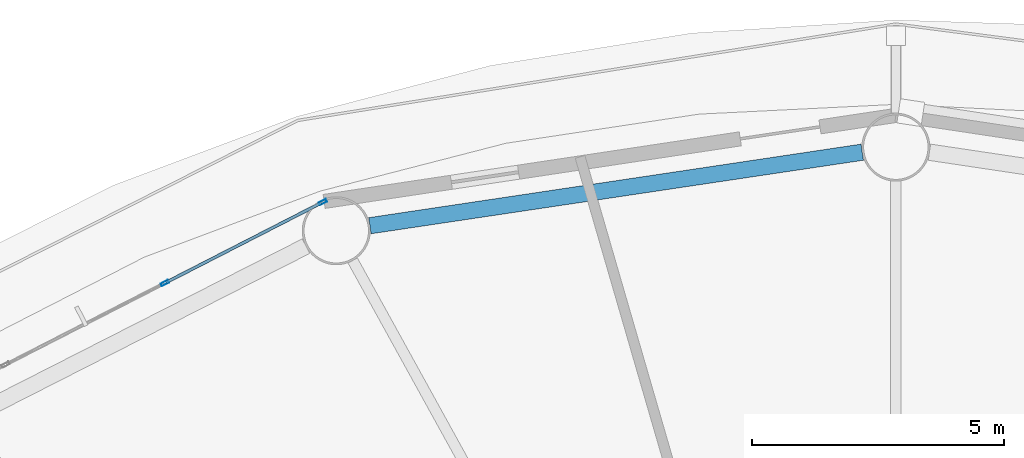
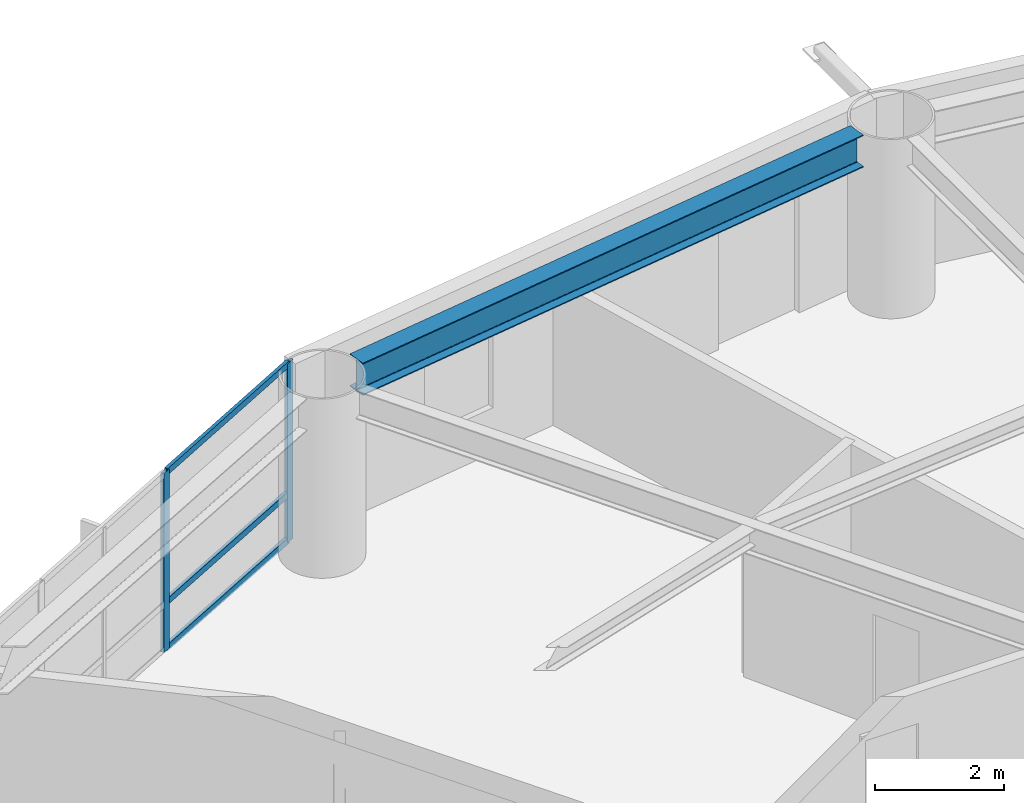
# One storey, part 10 of 24: 5 members, 1 beam, 1 element without a shape of its own.
"""IFC4 building model written with IfcOpenShell, lengths in metres."""

from ifc_helpers import new_model, si_unit, direction, frame, origin, origin_2d, place, context, subcontext, project, spatial, hollow_rectangle, i_section, extrude, material, layer, layer_set, material_profile, profile_set, type_object, element, aggregate, save


model = new_model("IFC4")

# Units and contexts
model_context = context("Model", 3, precision=1e-05, world=origin(), true_north=direction((0.0, 1.0)))
body_context = subcontext(model_context, "Body", "Model", "MODEL_VIEW")
ifc_project = project(units=[si_unit("LENGTHUNIT", "METRE"), si_unit("AREAUNIT", "SQUARE_METRE"), si_unit("VOLUMEUNIT", "CUBIC_METRE"), si_unit("PLANEANGLEUNIT", "RADIAN"), si_unit("MASSUNIT", "GRAM", prefix="KILO")], contexts=[model_context])

# Site, building, storey
site_placement = place(None, origin())
site = spatial("IfcSite", under=ifc_project, at=site_placement, CompositionType="ELEMENT")
building_placement = place(site_placement, origin())
building = spatial("IfcBuilding", under=site, at=building_placement, Name="Sarneth Arch Tower", CompositionType="ELEMENT")
storey_placement = place(building_placement, frame((0.0, 0.0, 123.60009765625)))
storey = spatial("IfcBuildingStorey", under=building, at=storey_placement, Name="L31", CompositionType="ELEMENT", Elevation=123.60009765625)

# Beam
ifc_material_1 = material(Name="Steel S355", Category="steel")
ifc_material_profile_1 = material_profile(ifc_material_1, i_section(OverallWidth=0.323974609375, OverallDepth=0.611083984375, WebThickness=0.0126953125, FlangeThickness=0.01904296875, FilletRadius=0.01904296875, at=origin_2d()), Name="W610x155")
ifc_profile_set_1 = profile_set([ifc_material_profile_1], Name="Steel S355")
beam_type = type_object("IfcBeamType", Name="BM-SPAN-610B", PredefinedType="SPANDREL", material=ifc_profile_set_1)
beam_placement = place(storey_placement, frame((47.33251953125, 63.7001953125, 3.074462890625), z_axis=(-0.989029828744, -0.147715936359, 0.0), x_axis=(0.147715936359, -0.989029828744, 0.0)))
element("IfcBeam", 1, at=beam_placement, inside=storey, type_object=beam_type, Name="L31 Perimeter spandrel beam 05", PredefinedType="SPANDREL", context=body_context, shape_type="SweptSolid", body=[
    extrude(i_section(OverallWidth=0.323974609375, OverallDepth=0.611083984375, WebThickness=0.0126953125, FlangeThickness=0.01904296875, FilletRadius=0.01904296875, at=origin_2d()), origin(), (0.0, 0.0, 1.0), 9.883544921875),
])

# Curtain wall, members
ifc_material_2 = material(Name="Anodised aluminium Type AA25 and solar-control low-e laminated IGU", Category="aluminium")
ifc_layer = layer(ifc_material_2, 0.159912109375)
ifc_layer_set = layer_set([ifc_layer], Name="Anodised aluminium Type AA25 and solar-control low-e laminated IGU")
curtain_wall_type = type_object("IfcCurtainWallType", Name="CW-HOTEL-MID", PredefinedType="NOTDEFINED", material=ifc_layer_set)
curtain_wall_placement = place(storey_placement, origin())
curtain_wall = element("IfcCurtainWall", 2, at=curtain_wall_placement, inside=storey, type_object=curtain_wall_type, Name="L31 Unitised curtain wall facet 06", PredefinedType="NOTDEFINED")
ifc_material_3 = material(Name="Anodised Aluminium 6063-T6", Category="aluminium")
ifc_material_profile_2 = material_profile(ifc_material_3, hollow_rectangle(XDim=0.06005859375, YDim=0.159912109375, WallThickness=0.00390625, at=origin_2d()), Name="AL-MULL-160x60x4")
ifc_profile_set_2 = profile_set([ifc_material_profile_2], Name="Anodised Aluminium 6063-T6")
member_type_1 = type_object("IfcMemberType", Name="CW-MULLION", PredefinedType="MULLION", material=ifc_profile_set_2)
member_1_placement = place(storey_placement, frame((36.6220703125, 62.708984375, 0.0), z_axis=(0.0, 0.0, 1.0), x_axis=(0.456031365356, -0.889963703649, 0.0)))
member_1 = element("IfcMember", 3, at=member_1_placement, type_object=member_type_1, Name="CW-SYS-4 mullion 1", PredefinedType="MULLION", context=body_context, shape_type="SweptSolid", body=[
    extrude(hollow_rectangle(XDim=0.06005859375, YDim=0.159912109375, WallThickness=0.00390625, at=origin_2d()), origin(), (0.0, 0.0, 1.0), 3.3798828125),
])
member_2_placement = place(storey_placement, frame((33.48583984375, 61.101806640625, 0.0), z_axis=(0.0, 0.0, 1.0), x_axis=(0.456031365356, -0.889963703649, 0.0)))
member_2 = element("IfcMember", 4, at=member_2_placement, type_object=member_type_1, Name="CW-SYS-4 mullion 2", PredefinedType="MULLION", context=body_context, shape_type="SweptSolid", body=[
    extrude(hollow_rectangle(XDim=0.06005859375, YDim=0.159912109375, WallThickness=0.00390625, at=origin_2d()), origin(), (0.0, 0.0, 1.0), 3.3798828125),
])
ifc_material_4 = material(Name="Anodised Aluminium 6063-T6", Category="aluminium")
ifc_material_profile_3 = material_profile(ifc_material_4, hollow_rectangle(XDim=0.06005859375, YDim=0.1201171875, WallThickness=0.00390625, at=origin_2d()), Name="AL-TRAN-120x60x4")
ifc_profile_set_3 = profile_set([ifc_material_profile_3], Name="Anodised Aluminium 6063-T6")
member_type_2 = type_object("IfcMemberType", Name="CW-TRANSOM", PredefinedType="USERDEFINED", material=ifc_profile_set_3)
member_3_placement = place(storey_placement, frame((36.595458984375, 62.6953125, 0.02978515625), z_axis=(-0.889957563627, -0.456043347658, 0.0), x_axis=(0.456043347658, -0.889957563627, 0.0)))
member_3 = element("IfcMember", 5, at=member_3_placement, type_object=member_type_2, Name="CW-SYS-4 transom 1.1", ObjectType="TRANSOM", PredefinedType="USERDEFINED", context=body_context, shape_type="SweptSolid", body=[
    extrude(hollow_rectangle(XDim=0.06005859375, YDim=0.1201171875, WallThickness=0.00390625, at=origin_2d()), origin(), (0.0, 0.0, 1.0), 3.464111328125),
])
member_4_placement = place(storey_placement, frame((36.595458984375, 62.6953125, 0.89990234375), z_axis=(-0.889957563627, -0.456043347658, 0.0), x_axis=(0.456043347658, -0.889957563627, 0.0)))
member_4 = element("IfcMember", 6, at=member_4_placement, type_object=member_type_2, Name="CW-SYS-4 transom 1.2", ObjectType="TRANSOM", PredefinedType="USERDEFINED", context=body_context, shape_type="SweptSolid", body=[
    extrude(hollow_rectangle(XDim=0.06005859375, YDim=0.1201171875, WallThickness=0.00390625, at=origin_2d()), origin(), (0.0, 0.0, 1.0), 3.464111328125),
])
member_5_placement = place(storey_placement, frame((36.595458984375, 62.6953125, 3.349853515625), z_axis=(-0.889957563627, -0.456043347658, 0.0), x_axis=(0.456043347658, -0.889957563627, 0.0)))
member_5 = element("IfcMember", 7, at=member_5_placement, type_object=member_type_2, Name="CW-SYS-4 transom 1.3", ObjectType="TRANSOM", PredefinedType="USERDEFINED", context=body_context, shape_type="SweptSolid", body=[
    extrude(hollow_rectangle(XDim=0.06005859375, YDim=0.1201171875, WallThickness=0.00390625, at=origin_2d()), origin(), (0.0, 0.0, 1.0), 3.464111328125),
])
aggregate(curtain_wall, [member_1, member_2, member_3, member_4, member_5])

save(model, "model.ifc")
